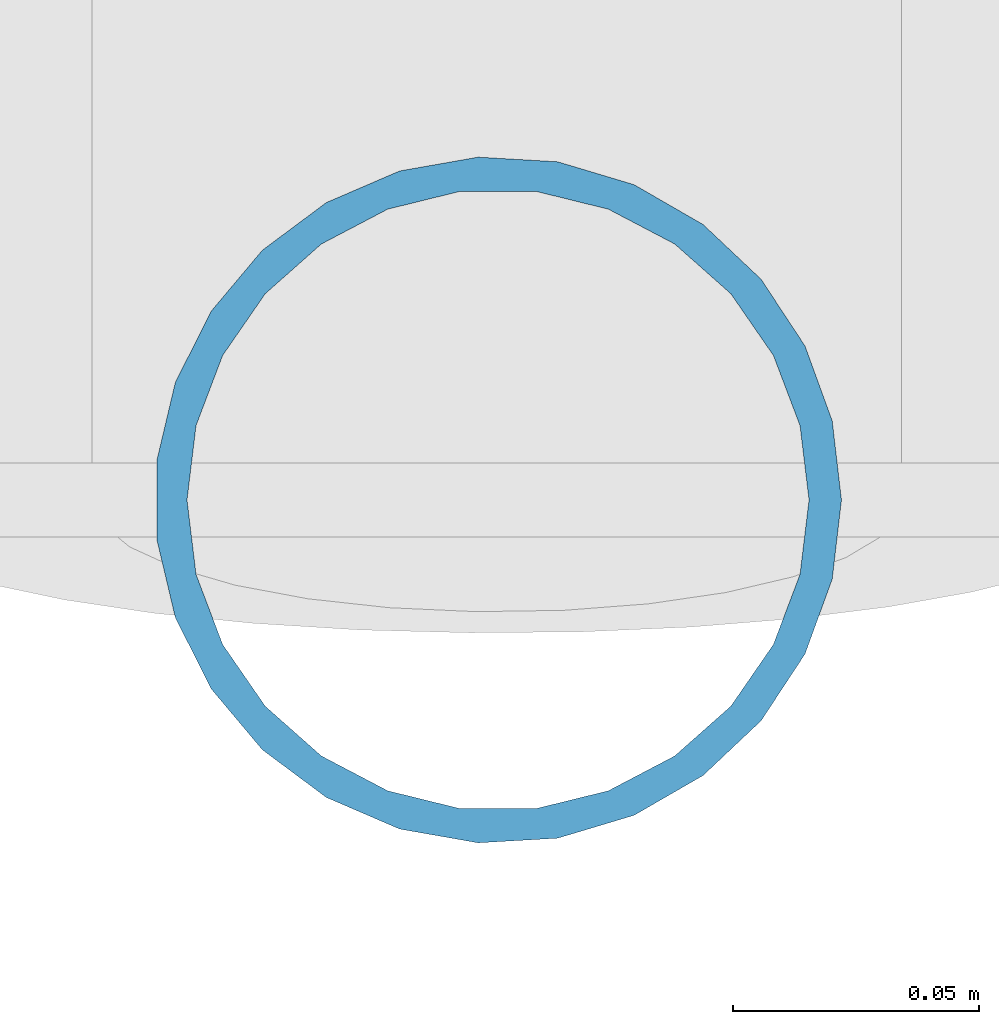
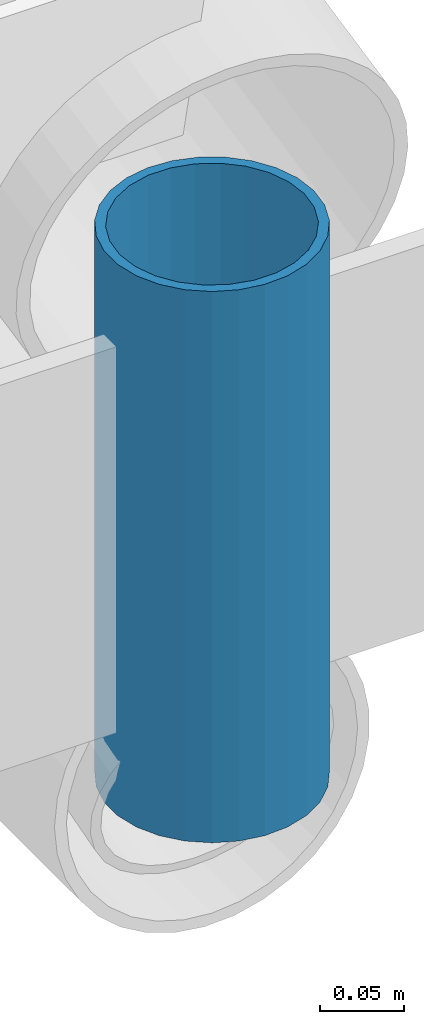
# One storey, part 146 of 194: 1 member.
"""IFC4 building model written with IfcOpenShell, lengths in metres."""

import ifcopenshell
import ifcopenshell.guid

model = None  # the IFC model being written
_history = None  # IfcOwnerHistory: only IFC2X3 demands one
_inside = {}  # id of a spatial element -> (the spatial element, [elements in it])
_under = {}  # id of a project, library or spatial element -> (it, [spatial elements below it])
_declared = {}  # id of a project -> (the project, [libraries it declares])
_typed = {}  # id of a type object -> (the type object, [elements of that type])
_made_of = {}  # id of a material, layer set ... -> (it, [elements and type objects made of it])


def new_model(schema):
    """Start an empty IFC model of exactly this schema.

    Asked for "IFC4X3", IfcOpenShell would pick the latest addendum, in which some entities
    have other attributes; the version numbers below select the first issue.
    IFC2X3 requires an IfcOwnerHistory on every rooted entity: one is made here for all.
    """
    global model, _history
    if schema == "IFC4X3":
        model = ifcopenshell.file(schema_version=(4, 3, 0, 0))
    else:
        model = ifcopenshell.file(schema=schema)
    _inside.clear()
    _under.clear()
    _declared.clear()
    _typed.clear()
    _made_of.clear()
    _history = None
    if model.schema == "IFC2X3":
        org = make("IfcOrganization", Name="unknown")
        user = make(
            "IfcPersonAndOrganization",
            ThePerson=make("IfcPerson", FamilyName="unknown"),
            TheOrganization=org,
        )
        app = make(
            "IfcApplication",
            ApplicationDeveloper=org,
            Version="unknown",
            ApplicationFullName="unknown",
            ApplicationIdentifier="unknown",
        )
        _history = make(
            "IfcOwnerHistory",
            OwningUser=user,
            OwningApplication=app,
            ChangeAction="ADDED",
            CreationDate=0,
        )
    return model


def make(cls, **values):
    """One entity of the class cls with the attributes given. An attribute that is None is left unset."""
    return model.create_entity(
        cls, **{name: value for name, value in values.items() if value is not None}
    )


def rooted(cls, **values):
    """An entity with a GlobalId (a new one), such as an element, a storey or a relation."""
    return make(cls, GlobalId=ifcopenshell.guid.new(), OwnerHistory=_history, **values)


def si_unit(unit_type, name, prefix=None):
    """IfcSIUnit, for example si_unit("LENGTHUNIT", "METRE", prefix="MILLI")."""
    return make("IfcSIUnit", UnitType=unit_type, Prefix=prefix, Name=name)


def assignment(units):
    """IfcUnitAssignment: the units of a project."""
    return None if units is None else make("IfcUnitAssignment", Units=units)


def point(xyz):
    """IfcCartesianPoint."""
    return None if xyz is None else make("IfcCartesianPoint", Coordinates=xyz)


def direction(xyz):
    """IfcDirection."""
    return None if xyz is None else make("IfcDirection", DirectionRatios=xyz)


def frame(location, z_axis=None, x_axis=None):
    """IfcAxis2Placement3D, a coordinate frame: its origin and axes. An axis left out is left unset."""
    return make(
        "IfcAxis2Placement3D",
        Location=point(location),
        Axis=direction(z_axis),
        RefDirection=direction(x_axis),
    )


def frame_2d(location, x_axis=None):
    """IfcAxis2Placement2D, a coordinate frame in the plane: its origin and x axis."""
    return make(
        "IfcAxis2Placement2D", Location=point(location), RefDirection=direction(x_axis)
    )


def origin():
    """The frame at (0, 0, 0) with its axes left unset."""
    return frame((0.0, 0.0, 0.0))


def origin_2d():
    """The frame at (0, 0) in the plane with its x axis left unset."""
    return frame_2d((0.0, 0.0))


def place(relative_to, where):
    """IfcLocalPlacement: puts the frame where relative to a parent placement (None: the world)."""
    return make(
        "IfcLocalPlacement", PlacementRelTo=relative_to, RelativePlacement=where
    )


def context(
    kind, dimensions, precision=None, world=None, true_north=None, identifier=None
):
    """IfcGeometricRepresentationContext, for example the 3D "Model" context."""
    return make(
        "IfcGeometricRepresentationContext",
        ContextIdentifier=identifier,
        ContextType=kind,
        CoordinateSpaceDimension=dimensions,
        Precision=precision,
        WorldCoordinateSystem=world,
        TrueNorth=true_north,
    )


def subcontext(parent, identifier, kind, view, scale=None):
    """IfcGeometricRepresentationSubContext, for example "Body" below "Model"."""
    return make(
        "IfcGeometricRepresentationSubContext",
        ContextIdentifier=identifier,
        ContextType=kind,
        ParentContext=parent,
        TargetScale=scale,
        TargetView=view,
    )


def project(units=None, contexts=None):
    """IfcProject with its units and contexts."""
    return rooted(
        "IfcProject",
        Name="project",
        RepresentationContexts=contexts,
        UnitsInContext=assignment(units),
    )


def spatial(cls, under=None, at=None, **own):
    """A site, building, storey or space (cls), placed at a placement, below another one or the project."""
    s = rooted(cls, ObjectPlacement=at, **own)
    if under is not None:
        _under.setdefault(under.id(), (under, []))[1].append(s)
    return s


def profile(cls, at=None, kind="AREA", **sizes):
    """A parametric profile (cls). Its sizes go by their IFC names, for example OverallWidth=200.0."""
    return make(cls, ProfileType=kind, Position=at, **sizes)


def hollow_circle(**sizes):
    """IfcCircleHollowProfileDef."""
    return profile("IfcCircleHollowProfileDef", **sizes)


def extrude(swept, where, along, depth):
    """IfcExtrudedAreaSolid: the profile swept, set in the frame where, extruded along a direction by depth."""
    return make(
        "IfcExtrudedAreaSolid",
        SweptArea=swept,
        Position=where,
        ExtrudedDirection=direction(along),
        Depth=depth,
    )


def shape(context_of_items, identifier, shape_type, items):
    """IfcShapeRepresentation: the items that make up one representation, for example the "Body"."""
    return make(
        "IfcShapeRepresentation",
        ContextOfItems=context_of_items,
        RepresentationIdentifier=identifier,
        RepresentationType=shape_type,
        Items=items,
    )


def material(Name=None, Category=None):
    """IfcMaterial."""
    return make("IfcMaterial", Name=Name, Category=Category)


def material_profile(
    of_material, cross_section, Name=None, Category=None, Priority=None
):
    """IfcMaterialProfile: a cross section and its material."""
    return make(
        "IfcMaterialProfile",
        Name=Name,
        Material=of_material,
        Profile=cross_section,
        Priority=Priority,
        Category=Category,
    )


def profile_set(profiles, Name=None, composite=None):
    """IfcMaterialProfileSet."""
    return make(
        "IfcMaterialProfileSet",
        Name=Name,
        MaterialProfiles=profiles,
        CompositeProfile=composite,
    )


def made_of(thing, what):
    """Note that an element or type object is made of a material, layer set ...; save() writes the relation."""
    if what is not None:
        _made_of.setdefault(what.id(), (what, []))[1].append(thing)
    return thing


def type_object(cls, material=None, **own):
    """A type object (cls), such as IfcWallType, which elements share."""
    return made_of(rooted(cls, **own), material)


def element(
    cls,
    number,
    at=None,
    inside=None,
    cuts=None,
    type_object=None,
    material=None,
    context=None,
    identifier="Body",
    shape_type=None,
    held_by="IfcProductDefinitionShape",
    body=None,
    shapes=None,
    **own,
):
    """One element of the class cls, such as IfcWall. Its Tag is "e" and its number.

    at: its placement. inside: the storey or other place that contains it. cuts: it is an
    opening in that element (IfcRelVoidsElement). A single representation is given by context,
    identifier, shape_type and body (its items); several are given by shapes. held_by: the class
    of the entity that holds the representations. save() writes the other relations.
    """
    e = rooted(cls, Tag="e%d" % number, ObjectPlacement=at, **own)
    if body is not None:
        shapes = [shape(context, identifier, shape_type, body)]
    if shapes is not None:
        e.Representation = make(held_by, Representations=shapes)
    if inside is not None:
        _inside.setdefault(inside.id(), (inside, []))[1].append(e)
    if cuts is not None:
        rooted(
            "IfcRelVoidsElement", RelatingBuildingElement=cuts, RelatedOpeningElement=e
        )
    if type_object is not None:
        _typed.setdefault(type_object.id(), (type_object, []))[1].append(e)
    return made_of(e, material)


def aggregate(whole, parts):
    """IfcRelAggregates: a whole, such as a stair, and the parts it consists of."""
    return rooted("IfcRelAggregates", RelatingObject=whole, RelatedObjects=parts)


def save(model, path):
    """Write the relations noted so far, then the file.

    IfcRelAggregates (storeys below a building ...), IfcRelContainedInSpatialStructure (elements
    in a storey), IfcRelDefinesByType, IfcRelAssociatesMaterial and IfcRelDeclares: one each for
    every whole, place, type object, material and project.
    """
    for whole, parts in _under.values():
        aggregate(whole, parts)
    for where, things in _inside.values():
        rooted(
            "IfcRelContainedInSpatialStructure",
            RelatedElements=things,
            RelatingStructure=where,
        )
    for kind, things in _typed.values():
        rooted("IfcRelDefinesByType", RelatedObjects=things, RelatingType=kind)
    for what, things in _made_of.values():
        rooted("IfcRelAssociatesMaterial", RelatedObjects=things, RelatingMaterial=what)
    for by, libraries in _declared.values():
        rooted("IfcRelDeclares", RelatingContext=by, RelatedDefinitions=libraries)
    model.write(path)


model = new_model("IFC4")

# Units and contexts
model_context = context("Model", 3, precision=1e-05, world=origin(), true_north=direction((0.0, 1.0)))
body_context = subcontext(model_context, "Body", "Model", "MODEL_VIEW")
ifc_project = project(units=[si_unit("LENGTHUNIT", "METRE"), si_unit("AREAUNIT", "SQUARE_METRE"), si_unit("VOLUMEUNIT", "CUBIC_METRE"), si_unit("PLANEANGLEUNIT", "RADIAN"), si_unit("MASSUNIT", "GRAM", prefix="KILO")], contexts=[model_context])

# Site, building, storey
site_placement = place(None, origin())
site = spatial("IfcSite", under=ifc_project, at=site_placement, CompositionType="ELEMENT")
building_placement = place(site_placement, origin())
building = spatial("IfcBuilding", under=site, at=building_placement, Name="Kazenagashi Tramway Depot", CompositionType="ELEMENT")
storey_placement = place(building_placement, frame((0.0, 0.0, 23.7)))
storey = spatial("IfcBuildingStorey", under=building, at=storey_placement, Name="ROOF", CompositionType="ELEMENT", Elevation=23.7)

# Member
ifc_material = material(Name="Steel STK490", Category="steel")
ifc_material_profile = material_profile(ifc_material, hollow_circle(Radius=0.0699, WallThickness=0.0066, at=origin_2d()), Name="CHS-139.8x6.6")
ifc_profile_set = profile_set([ifc_material_profile], Name="Steel STK490")
member_type = type_object("IfcMemberType", Name="TS-02", PredefinedType="STRUT", material=ifc_profile_set)
member_placement = place(storey_placement, frame((196.0, 70.0, -14.1), z_axis=(0.0, 0.0, 1.0), x_axis=(1.0, 0.0, 0.0)))
element("IfcMember", 1, at=member_placement, inside=storey, type_object=member_type, Name="Tubular Space Frame TS-02 MEM-1117", PredefinedType="STRUT", context=body_context, shape_type="SweptSolid", body=[
    extrude(hollow_circle(Radius=0.0699, WallThickness=0.0066, at=origin_2d()), origin(), (0.0, 0.0, 1.0), 0.4),
])

save(model, "model.ifc")
